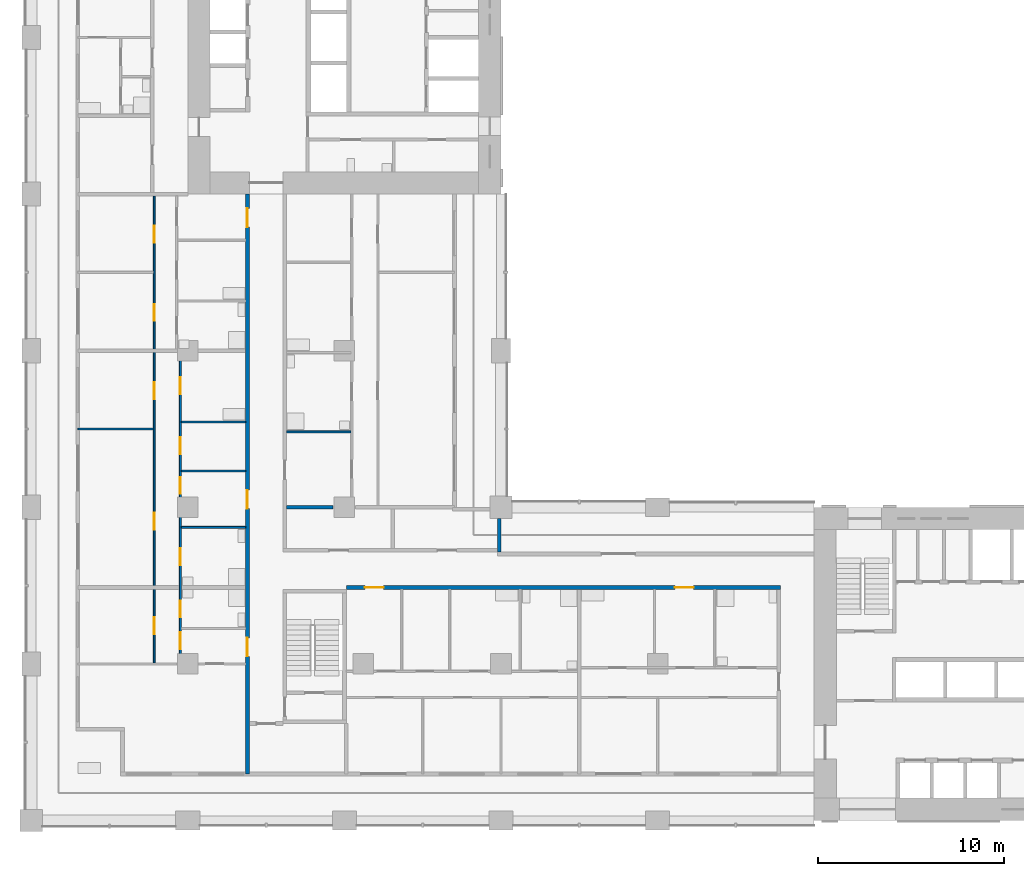
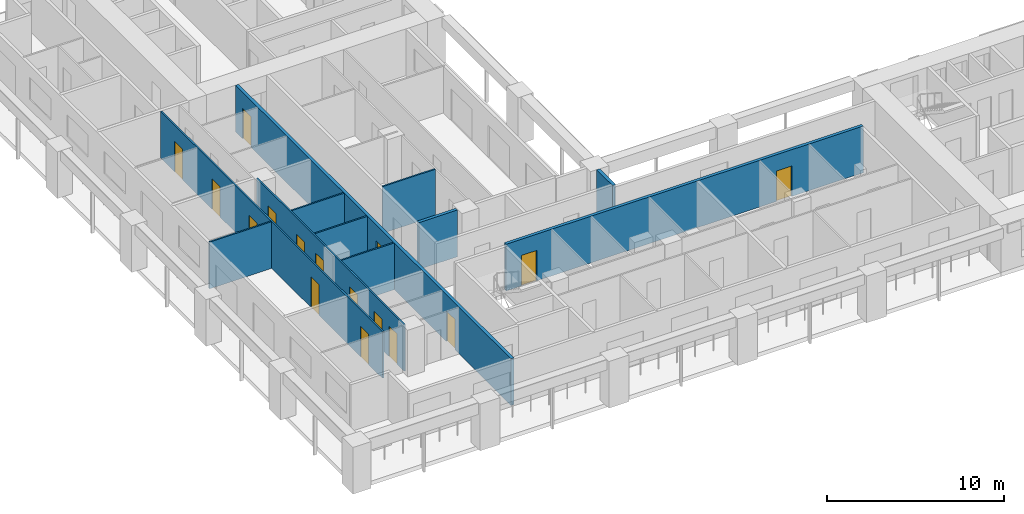
# One storey, part 3 of 17: 16 doors, 11 walls, 16 openings.
"""IFC4 building model written with IfcOpenShell, lengths in metres."""

from ifc_helpers import new_model, si_unit, direction, frame, frame_2d, origin, place, context, subcontext, project, spatial, rectangle, extrude, material, layer, layer_set, type_object, element, fill, save


model = new_model("IFC4")

# Units and contexts
model_context = context("Model", 3, precision=1e-05, world=origin(), true_north=direction((0.0, 1.0)))
body_context = subcontext(model_context, "Body", "Model", "MODEL_VIEW")
ifc_project = project(units=[si_unit("LENGTHUNIT", "METRE"), si_unit("AREAUNIT", "SQUARE_METRE"), si_unit("VOLUMEUNIT", "CUBIC_METRE"), si_unit("PLANEANGLEUNIT", "RADIAN"), si_unit("MASSUNIT", "GRAM", prefix="KILO")], contexts=[model_context])

# Site, building, storey
site_placement = place(None, origin())
site = spatial("IfcSite", under=ifc_project, at=site_placement, CompositionType="ELEMENT")
building_placement = place(site_placement, origin())
building = spatial("IfcBuilding", under=site, at=building_placement, Name="Vermilion Gate Residences", CompositionType="ELEMENT")
storey_placement = place(building_placement, frame((0.0, 0.0, 112.699951171875)))
storey = spatial("IfcBuildingStorey", under=building, at=storey_placement, Name="L28", CompositionType="ELEMENT", Elevation=112.699951171875)

# Walls
ifc_material_1 = material(Name="Insulated steel stud wall with terracotta rainscreen", Category="masonry")
ifc_layer_1 = layer(ifc_material_1, 0.199951171875)
ifc_layer_set_1 = layer_set([ifc_layer_1], Name="EXTERNAL WALL 200 TERRACOTTA RAINSCREEN")
wall_type_1 = type_object("IfcWallType", Name="EXTERNAL WALL 200 TERRACOTTA RAINSCREEN", PredefinedType="SOLIDWALL", material=ifc_layer_set_1)
wall_1_placement = place(storey_placement, frame((25.10009765625, 22.800048828125, 0.0), z_axis=(0.0, 0.0, 1.0), x_axis=(0.0, 1.0, 0.0)))
element("IfcWall", 1, at=wall_1_placement, inside=storey, type_object=wall_type_1, Name="External wall", PredefinedType="SOLIDWALL", context=body_context, shape_type="SweptSolid", body=[
    extrude(rectangle(XDim=1.800048828125, YDim=0.199951171875, at=frame_2d((0.89990234375, 0.0))), origin(), (0.0, 0.0, 1.0), 3.219970703125),
])
ifc_material_2 = material(Name="Plasterboard on steel studs", Category="steel")
ifc_layer_2 = layer(ifc_material_2, 0.10009765625)
ifc_layer_set_2 = layer_set([ifc_layer_2], Name="PARTITION 100")
wall_type_2 = type_object("IfcWallType", Name="PARTITION 100", PredefinedType="PARTITIONING", material=ifc_layer_set_2)
for number, where, z_axis, x_axis, name in (
    (2, (8.050048828125, 24.125, 0.0), (0.0, 0.0, 1.0), (1.0, 0.0, 0.0), "Partition"),
    (3, (8.050048828125, 27.14990234375, 0.0), (0.0, 0.0, 1.0), (1.0, 0.0, 0.0), "Partition"),
    (4, (13.699951171875, 29.25, 0.0), (0.0, 0.0, 1.0), (1.0, 0.0, 0.0), "Partition"),
):
    element("IfcWall", number, at=place(storey_placement, frame(where, z_axis=z_axis, x_axis=x_axis)), inside=storey, type_object=wall_type_2, Name=name, PredefinedType="PARTITIONING", context=body_context, shape_type="SweptSolid", body=[
        extrude(rectangle(XDim=3.449951171875, YDim=0.10009765625, at=frame_2d((1.72509765625, 0.0))), origin(), (0.0, 0.0, 1.0), 3.219970703125),
    ])
wall_2_placement = place(storey_placement, frame((2.5, 29.39990234375, 0.0), z_axis=(0.0, 0.0, 1.0), x_axis=(1.0, 0.0, 0.0)))
element("IfcWall", 5, at=wall_2_placement, inside=storey, type_object=wall_type_2, Name="Partition", PredefinedType="PARTITIONING", context=body_context, shape_type="SweptSolid", body=[
    extrude(rectangle(XDim=4.050048828125, YDim=0.10009765625, at=frame_2d((2.02490234375, 0.0))), origin(), (0.0, 0.0, 1.0), 3.219970703125),
])
wall_3_placement = place(storey_placement, frame((8.050048828125, 29.77490234375, 0.0), z_axis=(0.0, 0.0, 1.0), x_axis=(1.0, 0.0, 0.0)))
element("IfcWall", 6, at=wall_3_placement, inside=storey, type_object=wall_type_2, Name="Partition", PredefinedType="PARTITIONING", context=body_context, shape_type="SweptSolid", body=[
    extrude(rectangle(XDim=3.449951171875, YDim=0.10009765625, at=frame_2d((1.72509765625, 0.0))), origin(), (0.0, 0.0, 1.0), 3.219970703125),
])

# Wall, openings, doors
wall_4_placement = place(storey_placement, frame((6.60009765625, 16.85009765625, 0.0), z_axis=(0.0, 0.0, 1.0), x_axis=(0.0, 1.0, 0.0)))
wall_4 = element("IfcWall", 7, at=wall_4_placement, inside=storey, type_object=wall_type_2, Name="Partition", PredefinedType="PARTITIONING", context=body_context, shape_type="SweptSolid", body=[
    extrude(rectangle(XDim=25.0498046875, YDim=0.10009765625, at=frame_2d((12.52490234375, 0.0))), origin(), (0.0, 0.0, 1.0), 3.219970703125),
])
opening_1_placement = place(wall_4_placement, frame((1.550048828125, 0.0, 0.0)))
opening_1 = element("IfcOpeningElement", 8, at=opening_1_placement, cuts=wall_4, Name="Opening DA28024", PredefinedType="OPENING", context=body_context, shape_type="SweptSolid", body=[
    extrude(rectangle(XDim=0.89990234375, YDim=2.10009765625, at=frame_2d((0.449951171875, 1.050048828125))), frame((0.0, 0.06005859375, 0.0), z_axis=(0.0, -1.0, 0.0), x_axis=(1.0, 0.0, 0.0)), (0.0, 0.0, 1.0), 0.1201171875),
])
opening_2_placement = place(wall_4_placement, frame((7.14990234375, 0.0, 0.0)))
opening_2 = element("IfcOpeningElement", 9, at=opening_2_placement, cuts=wall_4, Name="Opening DA28025", PredefinedType="OPENING", context=body_context, shape_type="SweptSolid", body=[
    extrude(rectangle(XDim=0.89990234375, YDim=2.10009765625, at=frame_2d((0.449951171875, 1.050048828125))), frame((0.0, 0.06005859375, 0.0), z_axis=(0.0, -1.0, 0.0), x_axis=(1.0, 0.0, 0.0)), (0.0, 0.0, 1.0), 0.1201171875),
])
opening_3_placement = place(wall_4_placement, frame((14.14990234375, 0.0, 0.0)))
opening_3 = element("IfcOpeningElement", 10, at=opening_3_placement, cuts=wall_4, Name="Opening DA28026", PredefinedType="OPENING", context=body_context, shape_type="SweptSolid", body=[
    extrude(rectangle(XDim=0.89990234375, YDim=2.10009765625, at=frame_2d((0.449951171875, 1.050048828125))), frame((0.0, 0.06005859375, 0.0), z_axis=(0.0, -1.0, 0.0), x_axis=(1.0, 0.0, 0.0)), (0.0, 0.0, 1.0), 0.1201171875),
])
opening_4_placement = place(wall_4_placement, frame((18.35009765625, 0.0, 0.0)))
opening_4 = element("IfcOpeningElement", 11, at=opening_4_placement, cuts=wall_4, Name="Opening DA28027", PredefinedType="OPENING", context=body_context, shape_type="SweptSolid", body=[
    extrude(rectangle(XDim=0.89990234375, YDim=2.10009765625, at=frame_2d((0.449951171875, 1.050048828125))), frame((0.0, 0.06005859375, 0.0), z_axis=(0.0, -1.0, 0.0), x_axis=(1.0, 0.0, 0.0)), (0.0, 0.0, 1.0), 0.1201171875),
])
opening_5_placement = place(wall_4_placement, frame((22.550048828125, 0.0, 0.0)))
opening_5 = element("IfcOpeningElement", 12, at=opening_5_placement, cuts=wall_4, Name="Opening DA28028", PredefinedType="OPENING", context=body_context, shape_type="SweptSolid", body=[
    extrude(rectangle(XDim=0.89990234375, YDim=2.10009765625, at=frame_2d((0.449951171875, 1.050048828125))), frame((0.0, 0.06005859375, 0.0), z_axis=(0.0, -1.0, 0.0), x_axis=(1.0, 0.0, 0.0)), (0.0, 0.0, 1.0), 0.1201171875),
])
ifc_material_3 = material(Name="Timber", Category="wood")
door_type_1 = type_object("IfcDoorType", Name="INTERIOR DOOR 900 X 2100", OperationType="SINGLE_SWING_LEFT", PredefinedType="DOOR", material=ifc_material_3)
door_1_placement = place(opening_1_placement, origin())
door_1 = element("IfcDoor", 13, at=door_1_placement, inside=storey, type_object=door_type_1, Name="Interior door", OperationType="SINGLE_SWING_RIGHT", OverallHeight=2.10009765625, OverallWidth=0.89990234375, PredefinedType="DOOR", context=body_context, shape_type="SweptSolid", body=[
    extrude(rectangle(XDim=0.89990234375, YDim=2.10009765625, at=frame_2d((0.449951171875, 1.050048828125))), frame((0.0, 0.02490234375, 0.0), z_axis=(0.0, -1.0, 0.0), x_axis=(1.0, 0.0, 0.0)), (0.0, 0.0, 1.0), 0.050048828125),
])
fill(opening_1, door_1)
door_2_placement = place(opening_2_placement, origin())
door_2 = element("IfcDoor", 14, at=door_2_placement, inside=storey, type_object=door_type_1, Name="Interior door", OperationType="SINGLE_SWING_LEFT", OverallHeight=2.10009765625, OverallWidth=0.89990234375, PredefinedType="DOOR", context=body_context, shape_type="SweptSolid", body=[
    extrude(rectangle(XDim=0.89990234375, YDim=2.10009765625, at=frame_2d((0.449951171875, 1.050048828125))), frame((0.0, 0.02490234375, 0.0), z_axis=(0.0, -1.0, 0.0), x_axis=(1.0, 0.0, 0.0)), (0.0, 0.0, 1.0), 0.050048828125),
])
fill(opening_2, door_2)
door_3_placement = place(opening_3_placement, origin())
door_3 = element("IfcDoor", 15, at=door_3_placement, inside=storey, type_object=door_type_1, Name="Interior door", OperationType="SINGLE_SWING_LEFT", OverallHeight=2.10009765625, OverallWidth=0.89990234375, PredefinedType="DOOR", context=body_context, shape_type="SweptSolid", body=[
    extrude(rectangle(XDim=0.89990234375, YDim=2.10009765625, at=frame_2d((0.449951171875, 1.050048828125))), frame((0.0, 0.02490234375, 0.0), z_axis=(0.0, -1.0, 0.0), x_axis=(1.0, 0.0, 0.0)), (0.0, 0.0, 1.0), 0.050048828125),
])
fill(opening_3, door_3)
door_4_placement = place(opening_4_placement, origin())
door_4 = element("IfcDoor", 16, at=door_4_placement, inside=storey, type_object=door_type_1, Name="Interior door", OperationType="SINGLE_SWING_LEFT", OverallHeight=2.10009765625, OverallWidth=0.89990234375, PredefinedType="DOOR", context=body_context, shape_type="SweptSolid", body=[
    extrude(rectangle(XDim=0.89990234375, YDim=2.10009765625, at=frame_2d((0.449951171875, 1.050048828125))), frame((0.0, 0.02490234375, 0.0), z_axis=(0.0, -1.0, 0.0), x_axis=(1.0, 0.0, 0.0)), (0.0, 0.0, 1.0), 0.050048828125),
])
fill(opening_4, door_4)
door_5_placement = place(opening_5_placement, origin())
door_5 = element("IfcDoor", 17, at=door_5_placement, inside=storey, type_object=door_type_1, Name="Interior door", OperationType="SINGLE_SWING_LEFT", OverallHeight=2.10009765625, OverallWidth=0.89990234375, PredefinedType="DOOR", context=body_context, shape_type="SweptSolid", body=[
    extrude(rectangle(XDim=0.89990234375, YDim=2.10009765625, at=frame_2d((0.449951171875, 1.050048828125))), frame((0.0, 0.02490234375, 0.0), z_axis=(0.0, -1.0, 0.0), x_axis=(1.0, 0.0, 0.0)), (0.0, 0.0, 1.0), 0.050048828125),
])
fill(opening_5, door_5)

wall_5_placement = place(storey_placement, frame((8.0, 16.85009765625, 0.0), z_axis=(0.0, 0.0, 1.0), x_axis=(0.0, 1.0, 0.0)))
wall_5 = element("IfcWall", 18, at=wall_5_placement, inside=storey, type_object=wall_type_2, Name="Partition", PredefinedType="PARTITIONING", context=body_context, shape_type="SweptSolid", body=[
    extrude(rectangle(XDim=16.64990234375, YDim=0.10009765625, at=frame_2d((8.324951171875, 0.0))), origin(), (0.0, 0.0, 1.0), 3.219970703125),
])
opening_6_placement = place(wall_5_placement, frame((0.75, 0.0, 0.0)))
opening_6 = element("IfcOpeningElement", 19, at=opening_6_placement, cuts=wall_5, Name="Opening DA28032", PredefinedType="OPENING", context=body_context, shape_type="SweptSolid", body=[
    extrude(rectangle(XDim=0.89990234375, YDim=2.10009765625, at=frame_2d((0.449951171875, 1.050048828125))), frame((0.0, 0.06005859375, 0.0), z_axis=(0.0, -1.0, 0.0), x_axis=(1.0, 0.0, 0.0)), (0.0, 0.0, 1.0), 0.1201171875),
])
opening_7_placement = place(wall_5_placement, frame((2.449951171875, 0.0, 0.0)))
opening_7 = element("IfcOpeningElement", 20, at=opening_7_placement, cuts=wall_5, Name="Opening DA28033", PredefinedType="OPENING", context=body_context, shape_type="SweptSolid", body=[
    extrude(rectangle(XDim=0.89990234375, YDim=2.10009765625, at=frame_2d((0.449951171875, 1.050048828125))), frame((0.0, 0.06005859375, 0.0), z_axis=(0.0, -1.0, 0.0), x_axis=(1.0, 0.0, 0.0)), (0.0, 0.0, 1.0), 0.1201171875),
])
opening_8_placement = place(wall_5_placement, frame((9.074951171875, 0.0, 0.0)))
opening_8 = element("IfcOpeningElement", 21, at=opening_8_placement, cuts=wall_5, Name="Opening DA28034", PredefinedType="OPENING", context=body_context, shape_type="SweptSolid", body=[
    extrude(rectangle(XDim=0.89990234375, YDim=2.10009765625, at=frame_2d((0.449951171875, 1.050048828125))), frame((0.0, 0.06005859375, 0.0), z_axis=(0.0, -1.0, 0.0), x_axis=(1.0, 0.0, 0.0)), (0.0, 0.0, 1.0), 0.1201171875),
])
opening_9_placement = place(wall_5_placement, frame((5.25, 0.0, 0.0)))
opening_9 = element("IfcOpeningElement", 22, at=opening_9_placement, cuts=wall_5, Name="Opening DA28035", PredefinedType="OPENING", context=body_context, shape_type="SweptSolid", body=[
    extrude(rectangle(XDim=0.89990234375, YDim=2.10009765625, at=frame_2d((0.449951171875, 1.050048828125))), frame((0.0, 0.06005859375, 0.0), z_axis=(0.0, -1.0, 0.0), x_axis=(1.0, 0.0, 0.0)), (0.0, 0.0, 1.0), 0.1201171875),
])
opening_10_placement = place(wall_5_placement, frame((11.199951171875, 0.0, 0.0)))
opening_10 = element("IfcOpeningElement", 23, at=opening_10_placement, cuts=wall_5, Name="Opening DA28036", PredefinedType="OPENING", context=body_context, shape_type="SweptSolid", body=[
    extrude(rectangle(XDim=0.89990234375, YDim=2.10009765625, at=frame_2d((0.449951171875, 1.050048828125))), frame((0.0, 0.06005859375, 0.0), z_axis=(0.0, -1.0, 0.0), x_axis=(1.0, 0.0, 0.0)), (0.0, 0.0, 1.0), 0.1201171875),
])
opening_11_placement = place(wall_5_placement, frame((14.425048828125, 0.0, 0.0)))
opening_11 = element("IfcOpeningElement", 24, at=opening_11_placement, cuts=wall_5, Name="Opening DA28037", PredefinedType="OPENING", context=body_context, shape_type="SweptSolid", body=[
    extrude(rectangle(XDim=0.89990234375, YDim=2.10009765625, at=frame_2d((0.449951171875, 1.050048828125))), frame((0.0, 0.06005859375, 0.0), z_axis=(0.0, -1.0, 0.0), x_axis=(1.0, 0.0, 0.0)), (0.0, 0.0, 1.0), 0.1201171875),
])
door_6_placement = place(opening_6_placement, origin())
door_6 = element("IfcDoor", 25, at=door_6_placement, inside=storey, type_object=door_type_1, Name="Interior door", OperationType="SINGLE_SWING_RIGHT", OverallHeight=2.10009765625, OverallWidth=0.89990234375, PredefinedType="DOOR", context=body_context, shape_type="SweptSolid", body=[
    extrude(rectangle(XDim=0.89990234375, YDim=2.10009765625, at=frame_2d((0.449951171875, 1.050048828125))), frame((0.0, 0.02490234375, 0.0), z_axis=(0.0, -1.0, 0.0), x_axis=(1.0, 0.0, 0.0)), (0.0, 0.0, 1.0), 0.050048828125),
])
fill(opening_6, door_6)
door_7_placement = place(opening_7_placement, frame((0.89990234375, 0.0, 0.0), z_axis=(0.0, 0.0, 1.0), x_axis=(-1.0, 0.0, 0.0)))
door_7 = element("IfcDoor", 26, at=door_7_placement, inside=storey, type_object=door_type_1, Name="Interior door", OperationType="SINGLE_SWING_LEFT", OverallHeight=2.10009765625, OverallWidth=0.89990234375, PredefinedType="DOOR", context=body_context, shape_type="SweptSolid", body=[
    extrude(rectangle(XDim=0.89990234375, YDim=2.10009765625, at=frame_2d((0.449951171875, 1.050048828125))), frame((0.0, 0.02490234375, 0.0), z_axis=(0.0, -1.0, 0.0), x_axis=(1.0, 0.0, 0.0)), (0.0, 0.0, 1.0), 0.050048828125),
])
fill(opening_7, door_7)
door_8_placement = place(opening_8_placement, frame((0.89990234375, 0.0, 0.0), z_axis=(0.0, 0.0, 1.0), x_axis=(-1.0, 0.0, 0.0)))
door_8 = element("IfcDoor", 27, at=door_8_placement, inside=storey, type_object=door_type_1, Name="Interior door", OperationType="SINGLE_SWING_RIGHT", OverallHeight=2.10009765625, OverallWidth=0.89990234375, PredefinedType="DOOR", context=body_context, shape_type="SweptSolid", body=[
    extrude(rectangle(XDim=0.89990234375, YDim=2.10009765625, at=frame_2d((0.449951171875, 1.050048828125))), frame((0.0, 0.02490234375, 0.0), z_axis=(0.0, -1.0, 0.0), x_axis=(1.0, 0.0, 0.0)), (0.0, 0.0, 1.0), 0.050048828125),
])
fill(opening_8, door_8)
door_9_placement = place(opening_9_placement, frame((0.89990234375, 0.0, 0.0), z_axis=(0.0, 0.0, 1.0), x_axis=(-1.0, 0.0, 0.0)))
door_9 = element("IfcDoor", 28, at=door_9_placement, inside=storey, type_object=door_type_1, Name="Interior door", OperationType="SINGLE_SWING_RIGHT", OverallHeight=2.10009765625, OverallWidth=0.89990234375, PredefinedType="DOOR", context=body_context, shape_type="SweptSolid", body=[
    extrude(rectangle(XDim=0.89990234375, YDim=2.10009765625, at=frame_2d((0.449951171875, 1.050048828125))), frame((0.0, 0.02490234375, 0.0), z_axis=(0.0, -1.0, 0.0), x_axis=(1.0, 0.0, 0.0)), (0.0, 0.0, 1.0), 0.050048828125),
])
fill(opening_9, door_9)
door_10_placement = place(opening_10_placement, frame((0.89990234375, 0.0, 0.0), z_axis=(0.0, 0.0, 1.0), x_axis=(-1.0, 0.0, 0.0)))
door_10 = element("IfcDoor", 29, at=door_10_placement, inside=storey, type_object=door_type_1, Name="Interior door", OperationType="SINGLE_SWING_LEFT", OverallHeight=2.10009765625, OverallWidth=0.89990234375, PredefinedType="DOOR", context=body_context, shape_type="SweptSolid", body=[
    extrude(rectangle(XDim=0.89990234375, YDim=2.10009765625, at=frame_2d((0.449951171875, 1.050048828125))), frame((0.0, 0.02490234375, 0.0), z_axis=(0.0, -1.0, 0.0), x_axis=(1.0, 0.0, 0.0)), (0.0, 0.0, 1.0), 0.050048828125),
])
fill(opening_10, door_10)
door_11_placement = place(opening_11_placement, frame((0.89990234375, 0.0, 0.0), z_axis=(0.0, 0.0, 1.0), x_axis=(-1.0, 0.0, 0.0)))
door_11 = element("IfcDoor", 30, at=door_11_placement, inside=storey, type_object=door_type_1, Name="Interior door", OperationType="SINGLE_SWING_LEFT", OverallHeight=2.10009765625, OverallWidth=0.89990234375, PredefinedType="DOOR", context=body_context, shape_type="SweptSolid", body=[
    extrude(rectangle(XDim=0.89990234375, YDim=2.10009765625, at=frame_2d((0.449951171875, 1.050048828125))), frame((0.0, 0.02490234375, 0.0), z_axis=(0.0, -1.0, 0.0), x_axis=(1.0, 0.0, 0.0)), (0.0, 0.0, 1.0), 0.050048828125),
])
fill(opening_11, door_11)

ifc_material_4 = material(Name="Fire-rated plasterboard on steel studs", Category="steel")
ifc_layer_3 = layer(ifc_material_4, 0.199951171875)
ifc_layer_set_3 = layer_set([ifc_layer_3], Name="PARTY WALL 200 EI 120")
wall_type_3 = type_object("IfcWallType", Name="PARTY WALL 200 EI 120", PredefinedType="PARTITIONING", material=ifc_layer_set_3)
wall_6_placement = place(storey_placement, frame((16.89990234375, 20.89990234375, 0.0), z_axis=(0.0, 0.0, 1.0), x_axis=(1.0, 0.0, 0.0)))
wall_6 = element("IfcWall", 31, at=wall_6_placement, inside=storey, type_object=wall_type_3, Name="Party and corridor wall", PredefinedType="PARTITIONING", context=body_context, shape_type="SweptSolid", body=[
    extrude(rectangle(XDim=23.300048828125, YDim=0.199951171875, at=frame_2d((11.64990234375, 0.0))), origin(), (0.0, 0.0, 1.0), 3.219970703125),
])
opening_12_placement = place(wall_6_placement, frame((1.0, 0.0, 0.0)))
opening_12 = element("IfcOpeningElement", 32, at=opening_12_placement, cuts=wall_6, Name="Opening DA28015", PredefinedType="OPENING", context=body_context, shape_type="SweptSolid", body=[
    extrude(rectangle(XDim=1.0, YDim=2.10009765625, at=frame_2d((0.5, 1.050048828125))), frame((0.0, 0.10986328125, 0.0), z_axis=(0.0, -1.0, 0.0), x_axis=(1.0, 0.0, 0.0)), (0.0, 0.0, 1.0), 0.219970703125),
])
opening_13_placement = place(wall_6_placement, frame((17.633056640625, 0.0, 0.0)))
opening_13 = element("IfcOpeningElement", 33, at=opening_13_placement, cuts=wall_6, Name="Opening DA28016", PredefinedType="OPENING", context=body_context, shape_type="SweptSolid", body=[
    extrude(rectangle(XDim=1.0, YDim=2.10009765625, at=frame_2d((0.5, 1.050048828125))), frame((0.0, 0.10986328125, 0.0), z_axis=(0.0, -1.0, 0.0), x_axis=(1.0, 0.0, 0.0)), (0.0, 0.0, 1.0), 0.219970703125),
])
ifc_material_5 = material(Name="Steel", Category="steel")
door_type_2 = type_object("IfcDoorType", Name="ENTRANCE DOOR 1000 X 2100 FD30", OperationType="SINGLE_SWING_LEFT", PredefinedType="DOOR", material=ifc_material_5)
door_12_placement = place(opening_12_placement, frame((1.0, 0.0, 0.0), z_axis=(0.0, 0.0, 1.0), x_axis=(-1.0, 0.0, 0.0)))
door_12 = element("IfcDoor", 34, at=door_12_placement, inside=storey, type_object=door_type_2, Name="Entrance door", OperationType="SINGLE_SWING_LEFT", OverallHeight=2.10009765625, OverallWidth=1.0, PredefinedType="DOOR", context=body_context, shape_type="SweptSolid", body=[
    extrude(rectangle(XDim=1.0, YDim=2.10009765625, at=frame_2d((0.5, 1.050048828125))), frame((0.0, 0.02490234375, 0.0), z_axis=(0.0, -1.0, 0.0), x_axis=(1.0, 0.0, 0.0)), (0.0, 0.0, 1.0), 0.050048828125),
])
fill(opening_12, door_12)
door_13_placement = place(opening_13_placement, frame((1.0, 0.0, 0.0), z_axis=(0.0, 0.0, 1.0), x_axis=(-1.0, 0.0, 0.0)))
door_13 = element("IfcDoor", 35, at=door_13_placement, inside=storey, type_object=door_type_2, Name="Entrance door", OperationType="SINGLE_SWING_RIGHT", OverallHeight=2.10009765625, OverallWidth=1.0, PredefinedType="DOOR", context=body_context, shape_type="SweptSolid", body=[
    extrude(rectangle(XDim=1.0, YDim=2.10009765625, at=frame_2d((0.5, 1.050048828125))), frame((0.0, 0.02490234375, 0.0), z_axis=(0.0, -1.0, 0.0), x_axis=(1.0, 0.0, 0.0)), (0.0, 0.0, 1.0), 0.050048828125),
])
fill(opening_13, door_13)

# Wall
wall_7_placement = place(storey_placement, frame((13.699951171875, 25.199951171875, 0.0), z_axis=(0.0, 0.0, 1.0), x_axis=(1.0, 0.0, 0.0)))
element("IfcWall", 36, at=wall_7_placement, inside=storey, type_object=wall_type_3, Name="Party and corridor wall", PredefinedType="PARTITIONING", context=body_context, shape_type="SweptSolid", body=[
    extrude(rectangle(XDim=2.5, YDim=0.199951171875, at=frame_2d((1.25, 0.0))), origin(), (0.0, 0.0, 1.0), 3.219970703125),
])

# Wall, openings, doors
wall_8_placement = place(storey_placement, frame((11.60009765625, 10.89990234375, 0.0), z_axis=(0.0, 0.0, 1.0), x_axis=(0.0, 1.0, 0.0)))
wall_8 = element("IfcWall", 37, at=wall_8_placement, inside=storey, type_object=wall_type_3, Name="Party and corridor wall", PredefinedType="PARTITIONING", context=body_context, shape_type="SweptSolid", body=[
    extrude(rectangle(XDim=31.10009765625, YDim=0.199951171875, at=frame_2d((15.550048828125, 0.0))), origin(), (0.0, 0.0, 1.0), 3.219970703125),
])
opening_14_placement = place(wall_8_placement, frame((6.300048828125, 0.0, 0.0)))
opening_14 = element("IfcOpeningElement", 38, at=opening_14_placement, cuts=wall_8, Name="Opening DA28038", PredefinedType="OPENING", context=body_context, shape_type="SweptSolid", body=[
    extrude(rectangle(XDim=1.0, YDim=2.10009765625, at=frame_2d((0.5, 1.050048828125))), frame((0.0, 0.10986328125, 0.0), z_axis=(0.0, -1.0, 0.0), x_axis=(1.0, 0.0, 0.0)), (0.0, 0.0, 1.0), 0.219970703125),
])
opening_15_placement = place(wall_8_placement, frame((14.22509765625, 0.0, 0.0)))
opening_15 = element("IfcOpeningElement", 39, at=opening_15_placement, cuts=wall_8, Name="Opening DA28039", PredefinedType="OPENING", context=body_context, shape_type="SweptSolid", body=[
    extrude(rectangle(XDim=1.0, YDim=2.10009765625, at=frame_2d((0.5, 1.050048828125))), frame((0.0, 0.10986328125, 0.0), z_axis=(0.0, -1.0, 0.0), x_axis=(1.0, 0.0, 0.0)), (0.0, 0.0, 1.0), 0.219970703125),
])
opening_16_placement = place(wall_8_placement, frame((29.3330078125, 0.0, 0.0)))
opening_16 = element("IfcOpeningElement", 40, at=opening_16_placement, cuts=wall_8, Name="Opening DA28040", PredefinedType="OPENING", context=body_context, shape_type="SweptSolid", body=[
    extrude(rectangle(XDim=1.0, YDim=2.10009765625, at=frame_2d((0.5, 1.050048828125))), frame((0.0, 0.10986328125, 0.0), z_axis=(0.0, -1.0, 0.0), x_axis=(1.0, 0.0, 0.0)), (0.0, 0.0, 1.0), 0.219970703125),
])
door_14_placement = place(opening_14_placement, origin())
door_14 = element("IfcDoor", 41, at=door_14_placement, inside=storey, type_object=door_type_2, Name="Entrance door", OperationType="SINGLE_SWING_LEFT", OverallHeight=2.10009765625, OverallWidth=1.0, PredefinedType="DOOR", context=body_context, shape_type="SweptSolid", body=[
    extrude(rectangle(XDim=1.0, YDim=2.10009765625, at=frame_2d((0.5, 1.050048828125))), frame((0.0, 0.02490234375, 0.0), z_axis=(0.0, -1.0, 0.0), x_axis=(1.0, 0.0, 0.0)), (0.0, 0.0, 1.0), 0.050048828125),
])
fill(opening_14, door_14)
door_15_placement = place(opening_15_placement, origin())
door_15 = element("IfcDoor", 42, at=door_15_placement, inside=storey, type_object=door_type_2, Name="Entrance door", OperationType="SINGLE_SWING_LEFT", OverallHeight=2.10009765625, OverallWidth=1.0, PredefinedType="DOOR", context=body_context, shape_type="SweptSolid", body=[
    extrude(rectangle(XDim=1.0, YDim=2.10009765625, at=frame_2d((0.5, 1.050048828125))), frame((0.0, 0.02490234375, 0.0), z_axis=(0.0, -1.0, 0.0), x_axis=(1.0, 0.0, 0.0)), (0.0, 0.0, 1.0), 0.050048828125),
])
fill(opening_15, door_15)
door_16_placement = place(opening_16_placement, origin())
door_16 = element("IfcDoor", 43, at=door_16_placement, inside=storey, type_object=door_type_2, Name="Entrance door", OperationType="SINGLE_SWING_LEFT", OverallHeight=2.10009765625, OverallWidth=1.0, PredefinedType="DOOR", context=body_context, shape_type="SweptSolid", body=[
    extrude(rectangle(XDim=1.0, YDim=2.10009765625, at=frame_2d((0.5, 1.050048828125))), frame((0.0, 0.02490234375, 0.0), z_axis=(0.0, -1.0, 0.0), x_axis=(1.0, 0.0, 0.0)), (0.0, 0.0, 1.0), 0.050048828125),
])
fill(opening_16, door_16)

save(model, "model.ifc")
